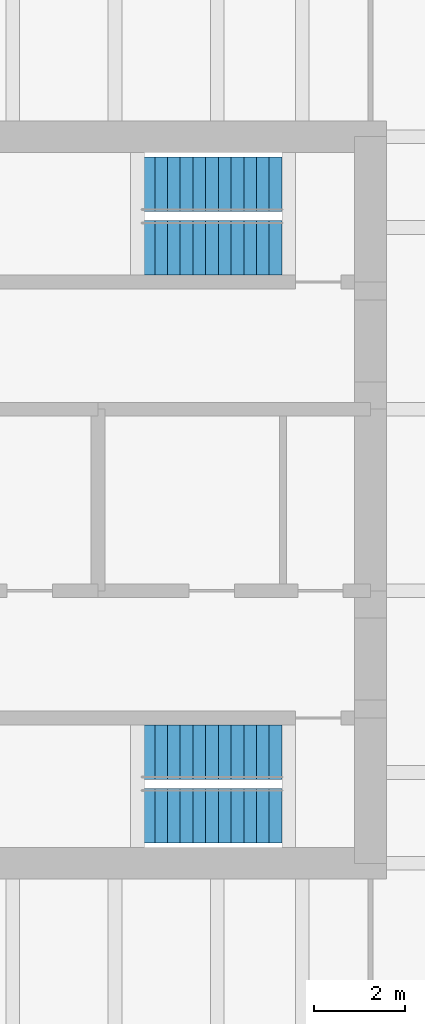
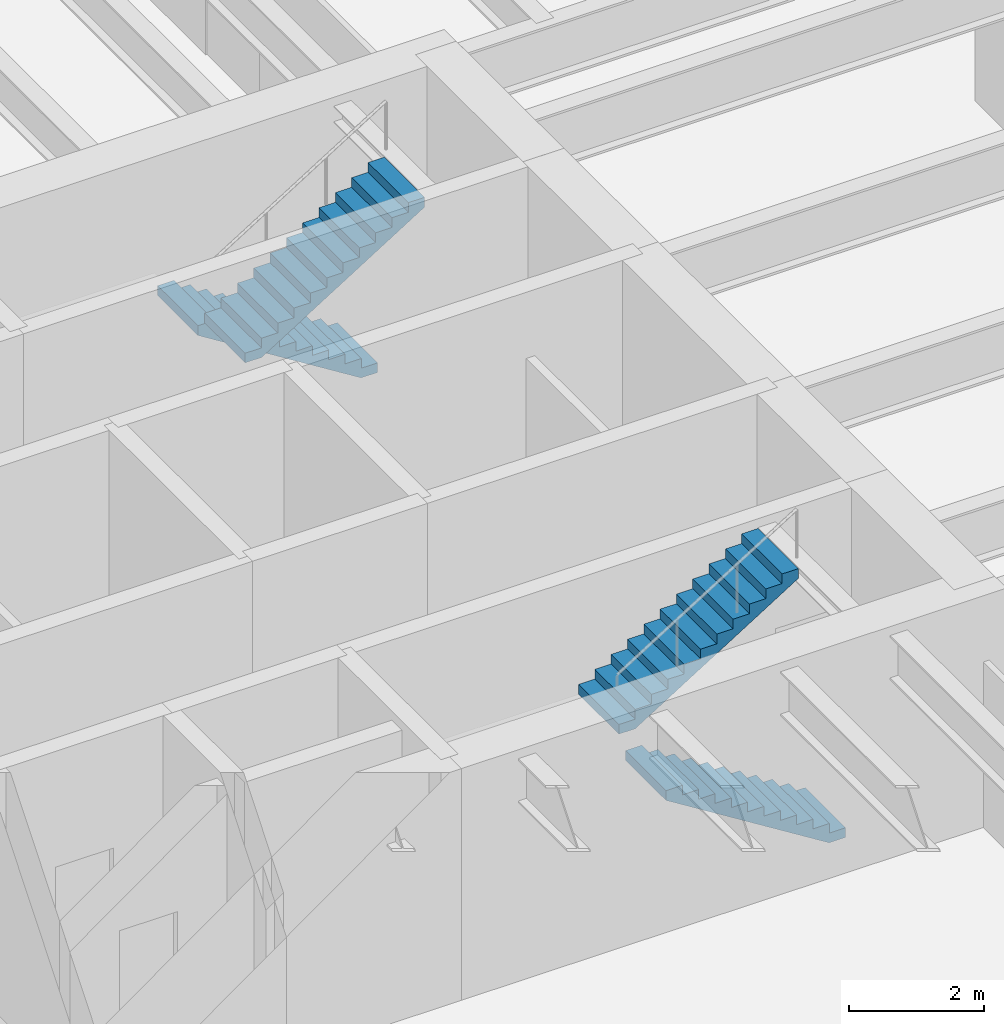
# One storey, part 14 of 15: 4 stair flights, 2 elements without a shape of their own.
"""IFC4 building model written with IfcOpenShell, lengths in metres."""

from ifc_helpers import new_model, si_unit, direction, frame, origin, place, context, subcontext, project, spatial, polyline, outline, extrude, material, type_object, element, aggregate, save


model = new_model("IFC4")

# Units and contexts
model_context = context("Model", 3, precision=1e-05, world=origin(), true_north=direction((0.0, 1.0)))
body_context = subcontext(model_context, "Body", "Model", "MODEL_VIEW")
ifc_project = project(units=[si_unit("LENGTHUNIT", "METRE"), si_unit("AREAUNIT", "SQUARE_METRE"), si_unit("VOLUMEUNIT", "CUBIC_METRE"), si_unit("PLANEANGLEUNIT", "RADIAN"), si_unit("MASSUNIT", "GRAM", prefix="KILO")], contexts=[model_context])

# Site, building, storey
site_placement = place(None, origin())
site = spatial("IfcSite", under=ifc_project, at=site_placement, CompositionType="ELEMENT")
building_placement = place(site_placement, origin())
building = spatial("IfcBuilding", under=site, at=building_placement, Name="Rheinbord Bourse Tower", CompositionType="ELEMENT")
storey_placement = place(building_placement, frame((0.0, 0.0, 325.699951171875)))
storey = spatial("IfcBuildingStorey", under=building, at=storey_placement, Name="L74", CompositionType="ELEMENT", Elevation=325.699951171875)

# Stair, stair flights
ifc_material_1 = material(Name="Concrete C30/37", Category="concrete")
stair_type = type_object("IfcStairType", Name="CORE STAIR HALF TURN 4200", PredefinedType="HALF_TURN_STAIR", material=ifc_material_1)
stair_1_placement = place(storey_placement, origin())
stair_1 = element("IfcStair", 1, at=stair_1_placement, inside=storey, type_object=stair_type, Name="Stair ST3 L74, type CS6", PredefinedType="HALF_TURN_STAIR")
ifc_material_2 = material(Name="Concrete C30/37", Category="concrete")
stair_flight_type = type_object("IfcStairFlightType", Name="CORE STAIR FLIGHT 1200, 12 RISERS", PredefinedType="STRAIGHT", material=ifc_material_2)
stair_flight_1_placement = place(storey_placement, frame((52.050048828125, 17.050048828125, 0.0), z_axis=(0.0, 0.0, 1.0), x_axis=(-1.0, 0.0, 0.0)))
stair_flight_1 = element("IfcStairFlight", 2, at=stair_flight_1_placement, type_object=stair_flight_type, Name="STAIR L74 ST3 F1", NumberOfRisers=12, NumberOfTreads=11, PredefinedType="STRAIGHT", RiserHeight=0.175, TreadLength=0.28, context=body_context, shape_type="SweptSolid", body=[
    extrude(outline(polyline([(0.0, 0.0), (0.0, 0.175048828125), (0.280029296875, 0.175048828125), (0.280029296875, 0.35009765625), (0.56005859375, 0.35009765625), (0.56005859375, 0.52490234375), (0.840087890625, 0.52490234375), (0.840087890625, 0.699951171875), (1.1201171875, 0.699951171875), (1.1201171875, 0.875), (1.39990234375, 0.875), (1.39990234375, 1.050048828125), (1.679931640625, 1.050048828125), (1.679931640625, 1.22509765625), (1.9599609375, 1.22509765625), (1.9599609375, 1.39990234375), (2.239990234375, 1.39990234375), (2.239990234375, 1.574951171875), (2.52001953125, 1.574951171875), (2.52001953125, 1.75), (2.800048828125, 1.75), (2.800048828125, 1.925048828125), (3.080078125, 1.925048828125), (3.080078125, 2.10009765625), (3.080078125, 1.748291015625), (0.28271484375, 0.0), (0.0, 0.0)])), frame((0.0, 0.60009765625, 0.0), z_axis=(0.0, -1.0, 0.0), x_axis=(1.0, 0.0, 0.0)), (0.0, 0.0, 1.0), 1.199951171875),
])
stair_flight_2_placement = place(storey_placement, frame((48.969970703125, 18.449951171875, 2.10009765625), z_axis=(0.0, 0.0, 1.0), x_axis=(1.0, 0.0, 0.0)))
stair_flight_2 = element("IfcStairFlight", 3, at=stair_flight_2_placement, type_object=stair_flight_type, Name="STAIR L74 ST3 F2", NumberOfRisers=12, NumberOfTreads=11, PredefinedType="STRAIGHT", RiserHeight=0.175, TreadLength=0.28, context=body_context, shape_type="SweptSolid", body=[
    extrude(outline(polyline([(0.0, 0.0), (0.0, 0.175048828125), (0.280029296875, 0.175048828125), (0.280029296875, 0.35009765625), (0.56005859375, 0.35009765625), (0.56005859375, 0.52490234375), (0.840087890625, 0.52490234375), (0.840087890625, 0.699951171875), (1.1201171875, 0.699951171875), (1.1201171875, 0.875), (1.39990234375, 0.875), (1.39990234375, 1.050048828125), (1.679931640625, 1.050048828125), (1.679931640625, 1.22509765625), (1.9599609375, 1.22509765625), (1.9599609375, 1.39990234375), (2.239990234375, 1.39990234375), (2.239990234375, 1.574951171875), (2.52001953125, 1.574951171875), (2.52001953125, 1.75), (2.800048828125, 1.75), (2.800048828125, 1.925048828125), (3.080078125, 1.925048828125), (3.080078125, 2.10009765625), (3.080078125, 1.748291015625), (0.28271484375, 0.0), (0.0, 0.0)])), frame((0.0, 0.60009765625, 0.0), z_axis=(0.0, -1.0, 0.0), x_axis=(1.0, 0.0, 0.0)), (0.0, 0.0, 1.0), 1.199951171875),
])
aggregate(stair_1, [stair_flight_1, stair_flight_2])

stair_2_placement = place(storey_placement, origin())
stair_2 = element("IfcStair", 4, at=stair_2_placement, inside=storey, type_object=stair_type, Name="Stair ST4 L74, type CS6", PredefinedType="HALF_TURN_STAIR")
stair_flight_3_placement = place(storey_placement, frame((52.050048828125, 30.949951171875, 0.0), z_axis=(0.0, 0.0, 1.0), x_axis=(-1.0, 0.0, 0.0)))
stair_flight_3 = element("IfcStairFlight", 5, at=stair_flight_3_placement, type_object=stair_flight_type, Name="STAIR L74 ST4 F1", NumberOfRisers=12, NumberOfTreads=11, PredefinedType="STRAIGHT", RiserHeight=0.175, TreadLength=0.28, context=body_context, shape_type="SweptSolid", body=[
    extrude(outline(polyline([(0.0, 0.0), (0.0, 0.175048828125), (0.280029296875, 0.175048828125), (0.280029296875, 0.35009765625), (0.56005859375, 0.35009765625), (0.56005859375, 0.52490234375), (0.840087890625, 0.52490234375), (0.840087890625, 0.699951171875), (1.1201171875, 0.699951171875), (1.1201171875, 0.875), (1.39990234375, 0.875), (1.39990234375, 1.050048828125), (1.679931640625, 1.050048828125), (1.679931640625, 1.22509765625), (1.9599609375, 1.22509765625), (1.9599609375, 1.39990234375), (2.239990234375, 1.39990234375), (2.239990234375, 1.574951171875), (2.52001953125, 1.574951171875), (2.52001953125, 1.75), (2.800048828125, 1.75), (2.800048828125, 1.925048828125), (3.080078125, 1.925048828125), (3.080078125, 2.10009765625), (3.080078125, 1.748291015625), (0.28271484375, 0.0), (0.0, 0.0)])), frame((0.0, 0.60009765625, 0.0), z_axis=(0.0, -1.0, 0.0), x_axis=(1.0, 0.0, 0.0)), (0.0, 0.0, 1.0), 1.199951171875),
])
stair_flight_4_placement = place(storey_placement, frame((48.969970703125, 29.550048828125, 2.10009765625), z_axis=(0.0, 0.0, 1.0), x_axis=(1.0, 0.0, 0.0)))
stair_flight_4 = element("IfcStairFlight", 6, at=stair_flight_4_placement, type_object=stair_flight_type, Name="STAIR L74 ST4 F2", NumberOfRisers=12, NumberOfTreads=11, PredefinedType="STRAIGHT", RiserHeight=0.175, TreadLength=0.28, context=body_context, shape_type="SweptSolid", body=[
    extrude(outline(polyline([(0.0, 0.0), (0.0, 0.175048828125), (0.280029296875, 0.175048828125), (0.280029296875, 0.35009765625), (0.56005859375, 0.35009765625), (0.56005859375, 0.52490234375), (0.840087890625, 0.52490234375), (0.840087890625, 0.699951171875), (1.1201171875, 0.699951171875), (1.1201171875, 0.875), (1.39990234375, 0.875), (1.39990234375, 1.050048828125), (1.679931640625, 1.050048828125), (1.679931640625, 1.22509765625), (1.9599609375, 1.22509765625), (1.9599609375, 1.39990234375), (2.239990234375, 1.39990234375), (2.239990234375, 1.574951171875), (2.52001953125, 1.574951171875), (2.52001953125, 1.75), (2.800048828125, 1.75), (2.800048828125, 1.925048828125), (3.080078125, 1.925048828125), (3.080078125, 2.10009765625), (3.080078125, 1.748291015625), (0.28271484375, 0.0), (0.0, 0.0)])), frame((0.0, 0.60009765625, 0.0), z_axis=(0.0, -1.0, 0.0), x_axis=(1.0, 0.0, 0.0)), (0.0, 0.0, 1.0), 1.199951171875),
])
aggregate(stair_2, [stair_flight_3, stair_flight_4])

save(model, "model.ifc")
